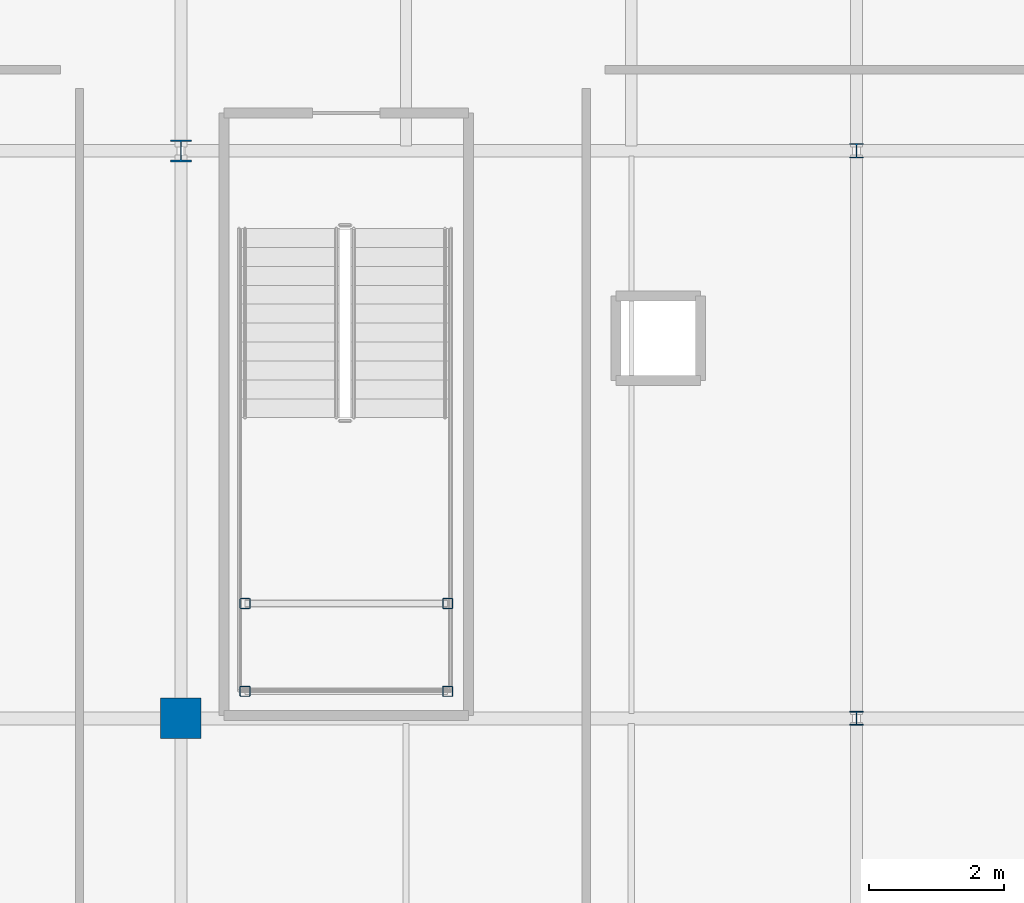
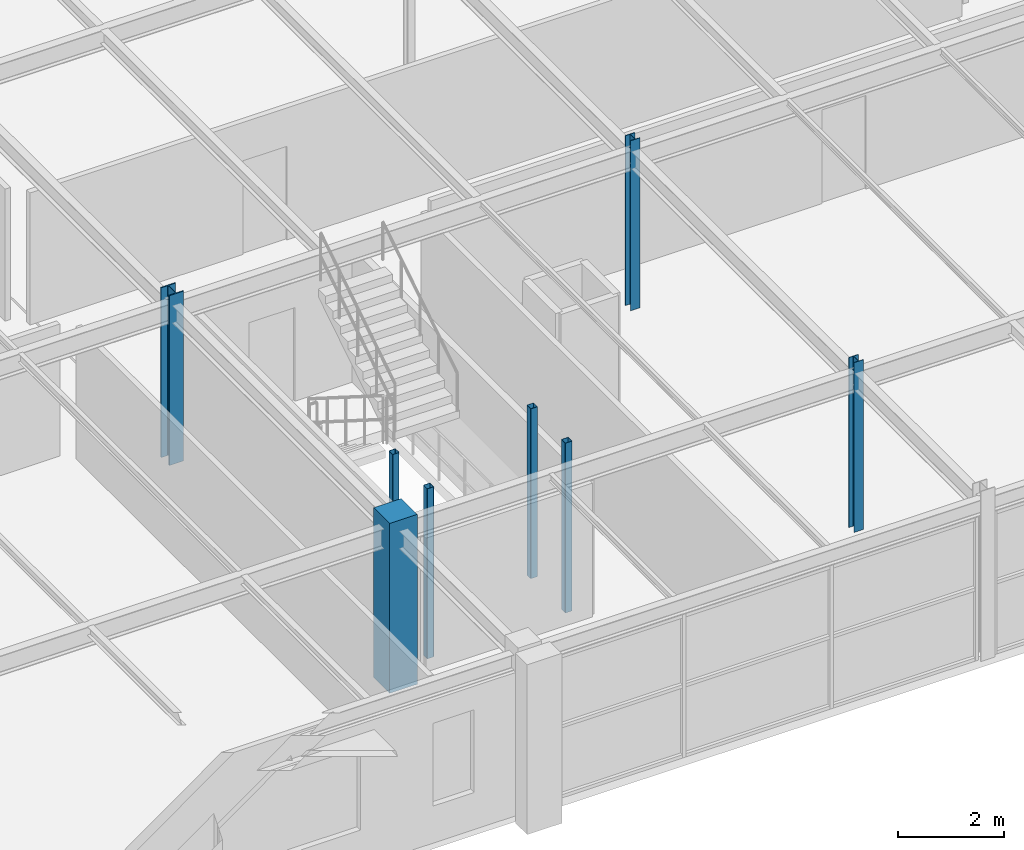
# One storey, part 23 of 98: 8 columns.
"""IFC4 building model written with IfcOpenShell, lengths in metres."""

import ifcopenshell
import ifcopenshell.guid

model = None  # the IFC model being written
_history = None  # IfcOwnerHistory: only IFC2X3 demands one
_inside = {}  # id of a spatial element -> (the spatial element, [elements in it])
_under = {}  # id of a project, library or spatial element -> (it, [spatial elements below it])
_declared = {}  # id of a project -> (the project, [libraries it declares])
_typed = {}  # id of a type object -> (the type object, [elements of that type])
_made_of = {}  # id of a material, layer set ... -> (it, [elements and type objects made of it])


def new_model(schema):
    """Start an empty IFC model of exactly this schema.

    Asked for "IFC4X3", IfcOpenShell would pick the latest addendum, in which some entities
    have other attributes; the version numbers below select the first issue.
    IFC2X3 requires an IfcOwnerHistory on every rooted entity: one is made here for all.
    """
    global model, _history
    if schema == "IFC4X3":
        model = ifcopenshell.file(schema_version=(4, 3, 0, 0))
    else:
        model = ifcopenshell.file(schema=schema)
    _inside.clear()
    _under.clear()
    _declared.clear()
    _typed.clear()
    _made_of.clear()
    _history = None
    if model.schema == "IFC2X3":
        org = make("IfcOrganization", Name="unknown")
        user = make(
            "IfcPersonAndOrganization",
            ThePerson=make("IfcPerson", FamilyName="unknown"),
            TheOrganization=org,
        )
        app = make(
            "IfcApplication",
            ApplicationDeveloper=org,
            Version="unknown",
            ApplicationFullName="unknown",
            ApplicationIdentifier="unknown",
        )
        _history = make(
            "IfcOwnerHistory",
            OwningUser=user,
            OwningApplication=app,
            ChangeAction="ADDED",
            CreationDate=0,
        )
    return model


def make(cls, **values):
    """One entity of the class cls with the attributes given. An attribute that is None is left unset."""
    return model.create_entity(
        cls, **{name: value for name, value in values.items() if value is not None}
    )


def rooted(cls, **values):
    """An entity with a GlobalId (a new one), such as an element, a storey or a relation."""
    return make(cls, GlobalId=ifcopenshell.guid.new(), OwnerHistory=_history, **values)


def si_unit(unit_type, name, prefix=None):
    """IfcSIUnit, for example si_unit("LENGTHUNIT", "METRE", prefix="MILLI")."""
    return make("IfcSIUnit", UnitType=unit_type, Prefix=prefix, Name=name)


def derived_unit(unit_type, elements):
    """IfcDerivedUnit: a product of units, each with its exponent."""
    return make(
        "IfcDerivedUnit",
        Elements=[
            make("IfcDerivedUnitElement", Unit=unit, Exponent=power)
            for unit, power in elements
        ],
        UnitType=unit_type,
    )


def assignment(units):
    """IfcUnitAssignment: the units of a project."""
    return None if units is None else make("IfcUnitAssignment", Units=units)


def point(xyz):
    """IfcCartesianPoint."""
    return None if xyz is None else make("IfcCartesianPoint", Coordinates=xyz)


def direction(xyz):
    """IfcDirection."""
    return None if xyz is None else make("IfcDirection", DirectionRatios=xyz)


def frame(location, z_axis=None, x_axis=None):
    """IfcAxis2Placement3D, a coordinate frame: its origin and axes. An axis left out is left unset."""
    return make(
        "IfcAxis2Placement3D",
        Location=point(location),
        Axis=direction(z_axis),
        RefDirection=direction(x_axis),
    )


def frame_2d(location, x_axis=None):
    """IfcAxis2Placement2D, a coordinate frame in the plane: its origin and x axis."""
    return make(
        "IfcAxis2Placement2D", Location=point(location), RefDirection=direction(x_axis)
    )


def origin():
    """The frame at (0, 0, 0) with its axes left unset."""
    return frame((0.0, 0.0, 0.0))


def origin_2d_with_axis():
    """The frame at (0, 0) in the plane with the x axis (1, 0) written out."""
    return frame_2d((0.0, 0.0), x_axis=(1.0, 0.0))


def place(relative_to, where):
    """IfcLocalPlacement: puts the frame where relative to a parent placement (None: the world)."""
    return make(
        "IfcLocalPlacement", PlacementRelTo=relative_to, RelativePlacement=where
    )


def context(
    kind, dimensions, precision=None, world=None, true_north=None, identifier=None
):
    """IfcGeometricRepresentationContext, for example the 3D "Model" context."""
    return make(
        "IfcGeometricRepresentationContext",
        ContextIdentifier=identifier,
        ContextType=kind,
        CoordinateSpaceDimension=dimensions,
        Precision=precision,
        WorldCoordinateSystem=world,
        TrueNorth=true_north,
    )


def subcontext(parent, identifier, kind, view, scale=None):
    """IfcGeometricRepresentationSubContext, for example "Body" below "Model"."""
    return make(
        "IfcGeometricRepresentationSubContext",
        ContextIdentifier=identifier,
        ContextType=kind,
        ParentContext=parent,
        TargetScale=scale,
        TargetView=view,
    )


def project(units=None, contexts=None):
    """IfcProject with its units and contexts."""
    return rooted(
        "IfcProject",
        Name="project",
        RepresentationContexts=contexts,
        UnitsInContext=assignment(units),
    )


def spatial(cls, under=None, at=None, **own):
    """A site, building, storey or space (cls), placed at a placement, below another one or the project."""
    s = rooted(cls, ObjectPlacement=at, **own)
    if under is not None:
        _under.setdefault(under.id(), (under, []))[1].append(s)
    return s


def profile(cls, at=None, kind="AREA", **sizes):
    """A parametric profile (cls). Its sizes go by their IFC names, for example OverallWidth=200.0."""
    return make(cls, ProfileType=kind, Position=at, **sizes)


def rectangle(**sizes):
    """IfcRectangleProfileDef."""
    return profile("IfcRectangleProfileDef", **sizes)


def hollow_rectangle(**sizes):
    """IfcRectangleHollowProfileDef."""
    return profile("IfcRectangleHollowProfileDef", **sizes)


def i_section(**sizes):
    """IfcIShapeProfileDef."""
    return profile("IfcIShapeProfileDef", **sizes)


def extrude(swept, where, along, depth):
    """IfcExtrudedAreaSolid: the profile swept, set in the frame where, extruded along a direction by depth."""
    return make(
        "IfcExtrudedAreaSolid",
        SweptArea=swept,
        Position=where,
        ExtrudedDirection=direction(along),
        Depth=depth,
    )


def shape(context_of_items, identifier, shape_type, items):
    """IfcShapeRepresentation: the items that make up one representation, for example the "Body"."""
    return make(
        "IfcShapeRepresentation",
        ContextOfItems=context_of_items,
        RepresentationIdentifier=identifier,
        RepresentationType=shape_type,
        Items=items,
    )


def material(Name=None, Category=None):
    """IfcMaterial."""
    return make("IfcMaterial", Name=Name, Category=Category)


def material_profile(
    of_material, cross_section, Name=None, Category=None, Priority=None
):
    """IfcMaterialProfile: a cross section and its material."""
    return make(
        "IfcMaterialProfile",
        Name=Name,
        Material=of_material,
        Profile=cross_section,
        Priority=Priority,
        Category=Category,
    )


def profile_set(profiles, Name=None, composite=None):
    """IfcMaterialProfileSet."""
    return make(
        "IfcMaterialProfileSet",
        Name=Name,
        MaterialProfiles=profiles,
        CompositeProfile=composite,
    )


def made_of(thing, what):
    """Note that an element or type object is made of a material, layer set ...; save() writes the relation."""
    if what is not None:
        _made_of.setdefault(what.id(), (what, []))[1].append(thing)
    return thing


def type_object(cls, material=None, **own):
    """A type object (cls), such as IfcWallType, which elements share."""
    return made_of(rooted(cls, **own), material)


def element(
    cls,
    number,
    at=None,
    inside=None,
    cuts=None,
    type_object=None,
    material=None,
    context=None,
    identifier="Body",
    shape_type=None,
    held_by="IfcProductDefinitionShape",
    body=None,
    shapes=None,
    **own,
):
    """One element of the class cls, such as IfcWall. Its Tag is "e" and its number.

    at: its placement. inside: the storey or other place that contains it. cuts: it is an
    opening in that element (IfcRelVoidsElement). A single representation is given by context,
    identifier, shape_type and body (its items); several are given by shapes. held_by: the class
    of the entity that holds the representations. save() writes the other relations.
    """
    e = rooted(cls, Tag="e%d" % number, ObjectPlacement=at, **own)
    if body is not None:
        shapes = [shape(context, identifier, shape_type, body)]
    if shapes is not None:
        e.Representation = make(held_by, Representations=shapes)
    if inside is not None:
        _inside.setdefault(inside.id(), (inside, []))[1].append(e)
    if cuts is not None:
        rooted(
            "IfcRelVoidsElement", RelatingBuildingElement=cuts, RelatedOpeningElement=e
        )
    if type_object is not None:
        _typed.setdefault(type_object.id(), (type_object, []))[1].append(e)
    return made_of(e, material)


def aggregate(whole, parts):
    """IfcRelAggregates: a whole, such as a stair, and the parts it consists of."""
    return rooted("IfcRelAggregates", RelatingObject=whole, RelatedObjects=parts)


def save(model, path):
    """Write the relations noted so far, then the file.

    IfcRelAggregates (storeys below a building ...), IfcRelContainedInSpatialStructure (elements
    in a storey), IfcRelDefinesByType, IfcRelAssociatesMaterial and IfcRelDeclares: one each for
    every whole, place, type object, material and project.
    """
    for whole, parts in _under.values():
        aggregate(whole, parts)
    for where, things in _inside.values():
        rooted(
            "IfcRelContainedInSpatialStructure",
            RelatedElements=things,
            RelatingStructure=where,
        )
    for kind, things in _typed.values():
        rooted("IfcRelDefinesByType", RelatedObjects=things, RelatingType=kind)
    for what, things in _made_of.values():
        rooted("IfcRelAssociatesMaterial", RelatedObjects=things, RelatingMaterial=what)
    for by, libraries in _declared.values():
        rooted("IfcRelDeclares", RelatingContext=by, RelatedDefinitions=libraries)
    model.write(path)


model = new_model("IFC4")

# Units and contexts
model_context = context("Model", 3, precision=1e-05, world=origin(), true_north=direction((0.0, 1.0)))
body_context = subcontext(model_context, "Body", "Model", "MODEL_VIEW")
ifc_project = project(units=[si_unit("LENGTHUNIT", "METRE"), si_unit("AREAUNIT", "SQUARE_METRE"), si_unit("VOLUMEUNIT", "CUBIC_METRE"), si_unit("PLANEANGLEUNIT", "RADIAN"), si_unit("MASSUNIT", "GRAM", prefix="KILO"), derived_unit("THERMALTRANSMITTANCEUNIT", [(si_unit("POWERUNIT", "WATT"), 1), (si_unit("LENGTHUNIT", "METRE"), -2), (si_unit("THERMODYNAMICTEMPERATUREUNIT", "KELVIN"), -1)])], contexts=[model_context])

# Site, building, storey
site_placement = place(None, origin())
site = spatial("IfcSite", under=ifc_project, at=site_placement, CompositionType="ELEMENT")
building_placement = place(site_placement, origin())
building = spatial("IfcBuilding", under=site, at=building_placement, Name="Cinnabar Yard Market Hall", CompositionType="ELEMENT")
storey_placement = place(building_placement, frame((0.0, 0.0, 4.5)))
storey = spatial("IfcBuildingStorey", under=building, at=storey_placement, Name="L01", CompositionType="ELEMENT", Elevation=4.5)

# Columns
ifc_material_1 = material(Name="Steel Grade 350 (350 MPa)", Category="steel")
ifc_material_profile_1 = material_profile(ifc_material_1, i_section(OverallWidth=0.311279296875, OverallDepth=0.3271484375, WebThickness=0.015625, FlangeThickness=0.02490234375, FilletRadius=0.0166015625, at=origin_2d_with_axis()), Name="310UC158")
ifc_profile_set_1 = profile_set([ifc_material_profile_1], Name="Steel Grade 350 (350 MPa)")
column_type_1 = type_object("IfcColumnType", Name="COL-C06", PredefinedType="COLUMN", material=ifc_profile_set_1)
column_1_placement = place(storey_placement, frame((106.0, 121.199951171875, 0.0), z_axis=(0.0, 0.0, 1.0), x_axis=(1.0, 0.0, 0.0)))
element("IfcColumn", 1, at=column_1_placement, inside=storey, type_object=column_type_1, Name="Wing Column V3-05-03 L01", PredefinedType="COLUMN", context=body_context, shape_type="SweptSolid", body=[
    extrude(i_section(OverallWidth=0.311279296875, OverallDepth=0.3271484375, WebThickness=0.015625, FlangeThickness=0.02490234375, FilletRadius=0.0166015625, at=origin_2d_with_axis()), origin(), (0.0, 0.0, 1.0), 3.89990234375),
])
ifc_material_2 = material(Name="Steel Grade 300 (300 MPa)", Category="steel")
ifc_material_profile_2 = material_profile(ifc_material_2, i_section(OverallWidth=0.203369140625, OverallDepth=0.203369140625, WebThickness=0.00732421875, FlangeThickness=0.010986328125, FilletRadius=0.011474609375, at=origin_2d_with_axis()), Name="200UC46.2")
ifc_profile_set_2 = profile_set([ifc_material_profile_2], Name="Steel Grade 300 (300 MPa)")
column_type_2 = type_object("IfcColumnType", Name="COL-C13", PredefinedType="COLUMN", material=ifc_profile_set_2)
column_2_placement = place(storey_placement, frame((116.0, 112.800048828125, 0.0), z_axis=(0.0, 0.0, 1.0), x_axis=(1.0, 0.0, 0.0)))
element("IfcColumn", 2, at=column_2_placement, inside=storey, type_object=column_type_2, Name="Wing Column V3-06-02 L01", PredefinedType="COLUMN", context=body_context, shape_type="SweptSolid", body=[
    extrude(i_section(OverallWidth=0.203369140625, OverallDepth=0.203369140625, WebThickness=0.00732421875, FlangeThickness=0.010986328125, FilletRadius=0.011474609375, at=origin_2d_with_axis()), origin(), (0.0, 0.0, 1.0), 3.89990234375),
])
ifc_material_3 = material(Name="Cold-formed steel C350L0", Category="steel")
ifc_material_profile_3 = material_profile(ifc_material_3, hollow_rectangle(XDim=0.14990234375, YDim=0.14990234375, WallThickness=0.006103515625, InnerFilletRadius=0.006103515625, OuterFilletRadius=0.011962890625, at=origin_2d_with_axis()), Name="150x150x6.0SHS")
ifc_profile_set_3 = profile_set([ifc_material_profile_3], Name="Cold-formed steel C350L0")
column_type_3 = type_object("IfcColumnType", Name="COL-C16", PredefinedType="COLUMN", material=ifc_profile_set_3)
for number, where, z_axis, x_axis, name in (
    (3, (106.949951171875, 113.199951171875, 0.0), (0.0, 0.0, 1.0), (1.0, 0.0, 0.0), "Feature Stair Post ST-F4-1 L01"),
    (4, (109.949951171875, 113.199951171875, 0.0), (0.0, 0.0, 1.0), (1.0, 0.0, 0.0), "Feature Stair Post ST-F4-2 L01"),
    (5, (106.949951171875, 114.5, 0.0), (0.0, 0.0, 1.0), (1.0, 0.0, 0.0), "Feature Stair Post ST-F4-3 L01"),
    (6, (109.949951171875, 114.5, 0.0), (0.0, 0.0, 1.0), (1.0, 0.0, 0.0), "Feature Stair Post ST-F4-4 L01"),
):
    element("IfcColumn", number, at=place(storey_placement, frame(where, z_axis=z_axis, x_axis=x_axis)), inside=storey, type_object=column_type_3, Name=name, PredefinedType="COLUMN", context=body_context, shape_type="SweptSolid", body=[
        extrude(hollow_rectangle(XDim=0.14990234375, YDim=0.14990234375, WallThickness=0.006103515625, InnerFilletRadius=0.006103515625, OuterFilletRadius=0.011962890625, at=origin_2d_with_axis()), origin(), (0.0, 0.0, 1.0), 3.89990234375),
    ])
ifc_material_profile_4 = material_profile(ifc_material_2, i_section(OverallWidth=0.205078125, OverallDepth=0.209716796875, WebThickness=0.00927734375, FlangeThickness=0.01416015625, FilletRadius=0.011474609375, at=origin_2d_with_axis()), Name="200UC59.5")
ifc_profile_set_4 = profile_set([ifc_material_profile_4], Name="Steel Grade 300 (300 MPa)")
column_type_4 = type_object("IfcColumnType", Name="COL-C17", PredefinedType="COLUMN", material=ifc_profile_set_4)
column_3_placement = place(storey_placement, frame((116.0, 121.199951171875, 0.0), z_axis=(0.0, 0.0, 1.0), x_axis=(1.0, 0.0, 0.0)))
element("IfcColumn", 7, at=column_3_placement, inside=storey, type_object=column_type_4, Name="Wing Column V3-06-03 L01", PredefinedType="COLUMN", context=body_context, shape_type="SweptSolid", body=[
    extrude(i_section(OverallWidth=0.205078125, OverallDepth=0.209716796875, WebThickness=0.00927734375, FlangeThickness=0.01416015625, FilletRadius=0.011474609375, at=origin_2d_with_axis()), origin(), (0.0, 0.0, 1.0), 3.89990234375),
])
ifc_material_4 = material(Name="Concrete 40 MPa", Category="concrete")
ifc_material_profile_5 = material_profile(ifc_material_4, rectangle(XDim=0.60009765625, YDim=0.60009765625, at=origin_2d_with_axis()), Name="RC-600x600")
ifc_profile_set_5 = profile_set([ifc_material_profile_5], Name="Concrete 40 MPa")
column_type_5 = type_object("IfcColumnType", Name="COL-RC2", PredefinedType="COLUMN", material=ifc_profile_set_5)
column_4_placement = place(storey_placement, frame((106.0, 112.800048828125, 0.0), z_axis=(0.0, 0.0, 1.0), x_axis=(1.0, 0.0, 0.0)))
element("IfcColumn", 8, at=column_4_placement, inside=storey, type_object=column_type_5, Name="Wing Column V3-05-02 L01", PredefinedType="COLUMN", context=body_context, shape_type="SweptSolid", body=[
    extrude(rectangle(XDim=0.60009765625, YDim=0.60009765625, at=origin_2d_with_axis()), origin(), (0.0, 0.0, 1.0), 3.89990234375),
])

save(model, "model.ifc")
